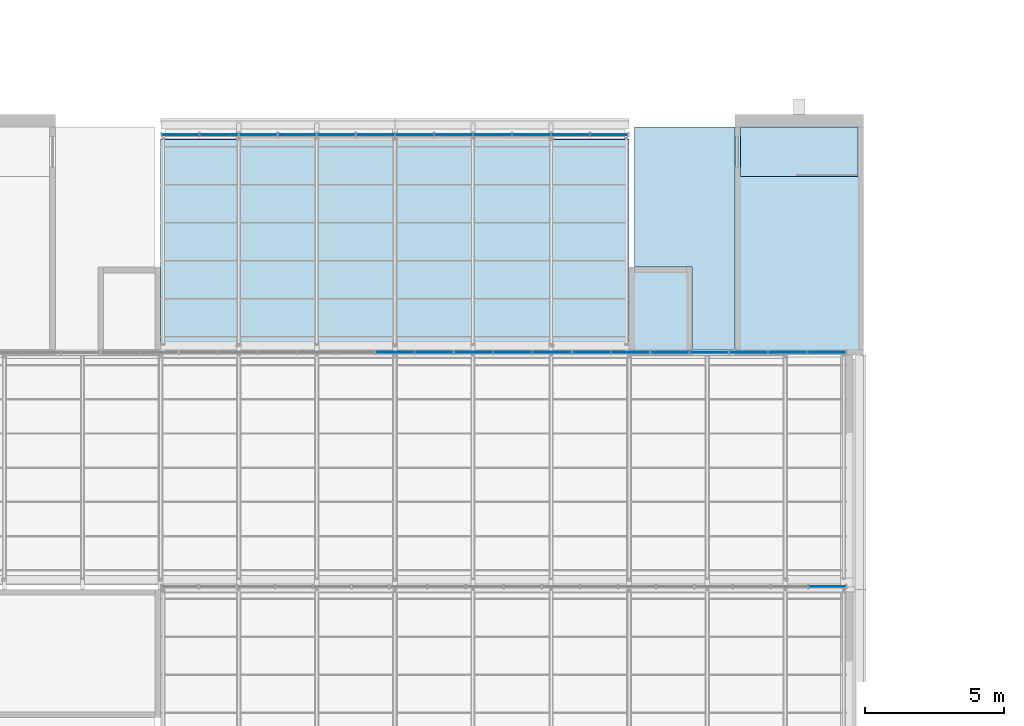
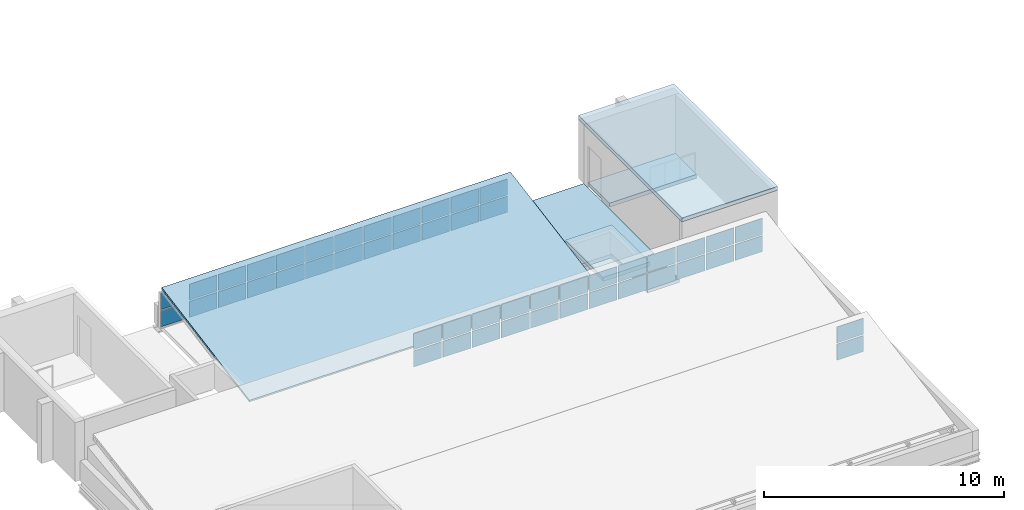
# One storey, part 26 of 42: 50 plates, 5 slabs, 3 elements without a shape of their own.
"""IFC4 building model written with IfcOpenShell, lengths in metres."""

import ifcopenshell
import ifcopenshell.guid

model = None  # the IFC model being written
_history = None  # IfcOwnerHistory: only IFC2X3 demands one
_inside = {}  # id of a spatial element -> (the spatial element, [elements in it])
_under = {}  # id of a project, library or spatial element -> (it, [spatial elements below it])
_declared = {}  # id of a project -> (the project, [libraries it declares])
_typed = {}  # id of a type object -> (the type object, [elements of that type])
_made_of = {}  # id of a material, layer set ... -> (it, [elements and type objects made of it])


def new_model(schema):
    """Start an empty IFC model of exactly this schema.

    Asked for "IFC4X3", IfcOpenShell would pick the latest addendum, in which some entities
    have other attributes; the version numbers below select the first issue.
    IFC2X3 requires an IfcOwnerHistory on every rooted entity: one is made here for all.
    """
    global model, _history
    if schema == "IFC4X3":
        model = ifcopenshell.file(schema_version=(4, 3, 0, 0))
    else:
        model = ifcopenshell.file(schema=schema)
    _inside.clear()
    _under.clear()
    _declared.clear()
    _typed.clear()
    _made_of.clear()
    _history = None
    if model.schema == "IFC2X3":
        org = make("IfcOrganization", Name="unknown")
        user = make(
            "IfcPersonAndOrganization",
            ThePerson=make("IfcPerson", FamilyName="unknown"),
            TheOrganization=org,
        )
        app = make(
            "IfcApplication",
            ApplicationDeveloper=org,
            Version="unknown",
            ApplicationFullName="unknown",
            ApplicationIdentifier="unknown",
        )
        _history = make(
            "IfcOwnerHistory",
            OwningUser=user,
            OwningApplication=app,
            ChangeAction="ADDED",
            CreationDate=0,
        )
    return model


def make(cls, **values):
    """One entity of the class cls with the attributes given. An attribute that is None is left unset."""
    return model.create_entity(
        cls, **{name: value for name, value in values.items() if value is not None}
    )


def rooted(cls, **values):
    """An entity with a GlobalId (a new one), such as an element, a storey or a relation."""
    return make(cls, GlobalId=ifcopenshell.guid.new(), OwnerHistory=_history, **values)


def si_unit(unit_type, name, prefix=None):
    """IfcSIUnit, for example si_unit("LENGTHUNIT", "METRE", prefix="MILLI")."""
    return make("IfcSIUnit", UnitType=unit_type, Prefix=prefix, Name=name)


def assignment(units):
    """IfcUnitAssignment: the units of a project."""
    return None if units is None else make("IfcUnitAssignment", Units=units)


def point(xyz):
    """IfcCartesianPoint."""
    return None if xyz is None else make("IfcCartesianPoint", Coordinates=xyz)


def direction(xyz):
    """IfcDirection."""
    return None if xyz is None else make("IfcDirection", DirectionRatios=xyz)


def frame(location, z_axis=None, x_axis=None):
    """IfcAxis2Placement3D, a coordinate frame: its origin and axes. An axis left out is left unset."""
    return make(
        "IfcAxis2Placement3D",
        Location=point(location),
        Axis=direction(z_axis),
        RefDirection=direction(x_axis),
    )


def frame_2d(location, x_axis=None):
    """IfcAxis2Placement2D, a coordinate frame in the plane: its origin and x axis."""
    return make(
        "IfcAxis2Placement2D", Location=point(location), RefDirection=direction(x_axis)
    )


def origin():
    """The frame at (0, 0, 0) with its axes left unset."""
    return frame((0.0, 0.0, 0.0))


def origin_2d():
    """The frame at (0, 0) in the plane with its x axis left unset."""
    return frame_2d((0.0, 0.0))


def place(relative_to, where):
    """IfcLocalPlacement: puts the frame where relative to a parent placement (None: the world)."""
    return make(
        "IfcLocalPlacement", PlacementRelTo=relative_to, RelativePlacement=where
    )


def context(
    kind, dimensions, precision=None, world=None, true_north=None, identifier=None
):
    """IfcGeometricRepresentationContext, for example the 3D "Model" context."""
    return make(
        "IfcGeometricRepresentationContext",
        ContextIdentifier=identifier,
        ContextType=kind,
        CoordinateSpaceDimension=dimensions,
        Precision=precision,
        WorldCoordinateSystem=world,
        TrueNorth=true_north,
    )


def subcontext(parent, identifier, kind, view, scale=None):
    """IfcGeometricRepresentationSubContext, for example "Body" below "Model"."""
    return make(
        "IfcGeometricRepresentationSubContext",
        ContextIdentifier=identifier,
        ContextType=kind,
        ParentContext=parent,
        TargetScale=scale,
        TargetView=view,
    )


def project(units=None, contexts=None):
    """IfcProject with its units and contexts."""
    return rooted(
        "IfcProject",
        Name="project",
        RepresentationContexts=contexts,
        UnitsInContext=assignment(units),
    )


def spatial(cls, under=None, at=None, **own):
    """A site, building, storey or space (cls), placed at a placement, below another one or the project."""
    s = rooted(cls, ObjectPlacement=at, **own)
    if under is not None:
        _under.setdefault(under.id(), (under, []))[1].append(s)
    return s


def polyline(points):
    """IfcPolyline through the points."""
    return make("IfcPolyline", Points=[point(p) for p in points])


def profile(cls, at=None, kind="AREA", **sizes):
    """A parametric profile (cls). Its sizes go by their IFC names, for example OverallWidth=200.0."""
    return make(cls, ProfileType=kind, Position=at, **sizes)


def rectangle(**sizes):
    """IfcRectangleProfileDef."""
    return profile("IfcRectangleProfileDef", **sizes)


def outline(outer, holes=None, kind="AREA"):
    """IfcArbitraryClosedProfileDef: a profile drawn as a closed curve; with holes, ...WithVoids."""
    if holes is None:
        return make("IfcArbitraryClosedProfileDef", ProfileType=kind, OuterCurve=outer)
    return make(
        "IfcArbitraryProfileDefWithVoids",
        ProfileType=kind,
        OuterCurve=outer,
        InnerCurves=holes,
    )


def extrude(swept, where, along, depth):
    """IfcExtrudedAreaSolid: the profile swept, set in the frame where, extruded along a direction by depth."""
    return make(
        "IfcExtrudedAreaSolid",
        SweptArea=swept,
        Position=where,
        ExtrudedDirection=direction(along),
        Depth=depth,
    )


def shape(context_of_items, identifier, shape_type, items):
    """IfcShapeRepresentation: the items that make up one representation, for example the "Body"."""
    return make(
        "IfcShapeRepresentation",
        ContextOfItems=context_of_items,
        RepresentationIdentifier=identifier,
        RepresentationType=shape_type,
        Items=items,
    )


def material(Name=None, Category=None):
    """IfcMaterial."""
    return make("IfcMaterial", Name=Name, Category=Category)


def layer(
    of_material, thickness, ventilated=None, Name=None, Category=None, Priority=None
):
    """IfcMaterialLayer: one layer of a wall or slab, of a material (None: an air gap)."""
    return make(
        "IfcMaterialLayer",
        Material=of_material,
        LayerThickness=thickness,
        IsVentilated=ventilated,
        Name=Name,
        Category=Category,
        Priority=Priority,
    )


def layer_set(layers, Name=None):
    """IfcMaterialLayerSet."""
    return make("IfcMaterialLayerSet", MaterialLayers=layers, LayerSetName=Name)


def made_of(thing, what):
    """Note that an element or type object is made of a material, layer set ...; save() writes the relation."""
    if what is not None:
        _made_of.setdefault(what.id(), (what, []))[1].append(thing)
    return thing


def type_object(cls, material=None, **own):
    """A type object (cls), such as IfcWallType, which elements share."""
    return made_of(rooted(cls, **own), material)


def element(
    cls,
    number,
    at=None,
    inside=None,
    cuts=None,
    type_object=None,
    material=None,
    context=None,
    identifier="Body",
    shape_type=None,
    held_by="IfcProductDefinitionShape",
    body=None,
    shapes=None,
    **own,
):
    """One element of the class cls, such as IfcWall. Its Tag is "e" and its number.

    at: its placement. inside: the storey or other place that contains it. cuts: it is an
    opening in that element (IfcRelVoidsElement). A single representation is given by context,
    identifier, shape_type and body (its items); several are given by shapes. held_by: the class
    of the entity that holds the representations. save() writes the other relations.
    """
    e = rooted(cls, Tag="e%d" % number, ObjectPlacement=at, **own)
    if body is not None:
        shapes = [shape(context, identifier, shape_type, body)]
    if shapes is not None:
        e.Representation = make(held_by, Representations=shapes)
    if inside is not None:
        _inside.setdefault(inside.id(), (inside, []))[1].append(e)
    if cuts is not None:
        rooted(
            "IfcRelVoidsElement", RelatingBuildingElement=cuts, RelatedOpeningElement=e
        )
    if type_object is not None:
        _typed.setdefault(type_object.id(), (type_object, []))[1].append(e)
    return made_of(e, material)


def aggregate(whole, parts):
    """IfcRelAggregates: a whole, such as a stair, and the parts it consists of."""
    return rooted("IfcRelAggregates", RelatingObject=whole, RelatedObjects=parts)


def save(model, path):
    """Write the relations noted so far, then the file.

    IfcRelAggregates (storeys below a building ...), IfcRelContainedInSpatialStructure (elements
    in a storey), IfcRelDefinesByType, IfcRelAssociatesMaterial and IfcRelDeclares: one each for
    every whole, place, type object, material and project.
    """
    for whole, parts in _under.values():
        aggregate(whole, parts)
    for where, things in _inside.values():
        rooted(
            "IfcRelContainedInSpatialStructure",
            RelatedElements=things,
            RelatingStructure=where,
        )
    for kind, things in _typed.values():
        rooted("IfcRelDefinesByType", RelatedObjects=things, RelatingType=kind)
    for what, things in _made_of.values():
        rooted("IfcRelAssociatesMaterial", RelatedObjects=things, RelatingMaterial=what)
    for by, libraries in _declared.values():
        rooted("IfcRelDeclares", RelatingContext=by, RelatedDefinitions=libraries)
    model.write(path)


model = new_model("IFC4")

# Units and contexts
model_context = context("Model", 3, precision=1e-05, world=origin(), true_north=direction((0.0, 1.0)))
body_context = subcontext(model_context, "Body", "Model", "MODEL_VIEW")
ifc_project = project(units=[si_unit("LENGTHUNIT", "METRE"), si_unit("AREAUNIT", "SQUARE_METRE"), si_unit("VOLUMEUNIT", "CUBIC_METRE"), si_unit("PLANEANGLEUNIT", "RADIAN"), si_unit("MASSUNIT", "GRAM", prefix="KILO")], contexts=[model_context])

# Site, building, storey
site_placement = place(None, origin())
site = spatial("IfcSite", under=ifc_project, at=site_placement, CompositionType="ELEMENT")
building_placement = place(site_placement, origin())
building = spatial("IfcBuilding", under=site, at=building_placement, Name="Ardhachandra Cancer Care Centre", CompositionType="ELEMENT")
storey_placement = place(building_placement, frame((0.0, 0.0, 22.5)))
storey = spatial("IfcBuildingStorey", under=building, at=storey_placement, Name="L05", CompositionType="ELEMENT", Elevation=22.5)

# Slabs
ifc_material_1 = material(Name="Concrete M40", Category="concrete")
ifc_layer_1 = layer(ifc_material_1, 0.199951171875)
ifc_layer_set_1 = layer_set([ifc_layer_1], Name="Concrete M40")
slab_type_1 = type_object("IfcSlabType", Name="Core head-house floor slab 200", PredefinedType="FLOOR", material=ifc_layer_set_1)
slab_1_placement = place(storey_placement, frame((0.0, 0.0, -0.199951171875)))
element("IfcSlab", 1, at=slab_1_placement, inside=storey, type_object=slab_type_1, Name="Stair head-house floor slab K5 1", PredefinedType="FLOOR", context=body_context, shape_type="SweptSolid", body=[
    extrude(outline(polyline([(40.0, 96.375), (40.0, 94.60009765625), (44.199951171875, 94.60009765625), (44.199951171875, 96.375), (40.0, 96.375)])), origin(), (0.0, 0.0, 1.0), 0.199951171875),
])
ifc_material_2 = material(Name="Concrete M40", Category="concrete")
ifc_layer_2 = layer(ifc_material_2, 0.199951171875)
ifc_layer_set_2 = layer_set([ifc_layer_2], Name="Concrete M40")
slab_type_2 = type_object("IfcSlabType", Name="Core roof slab 200", PredefinedType="ROOF", material=ifc_layer_set_2)
slab_2_placement = place(storey_placement, frame((0.0, 0.0, -0.199951171875)))
element("IfcSlab", 2, at=slab_2_placement, inside=storey, type_object=slab_type_2, Name="Core roof slab K5 2", PredefinedType="ROOF", context=body_context, shape_type="SweptSolid", body=[
    extrude(outline(polyline([(36.199951171875, 91.35009765625), (38.050048828125, 91.35009765625), (38.25, 91.35009765625), (38.25, 88.39990234375), (39.800048828125, 88.39990234375), (39.800048828125, 96.375), (36.199951171875, 96.375), (36.199951171875, 91.35009765625)])), origin(), (0.0, 0.0, 1.0), 0.199951171875),
])

# Curtain wall, plate
ifc_material_3 = material(Name="Aluminium extrusion", Category="aluminium")
ifc_layer_3 = layer(ifc_material_3, 0.14990234375)
ifc_layer_set_3 = layer_set([ifc_layer_3], Name="Aluminium extrusion")
curtain_wall_type = type_object("IfcCurtainWallType", Name="Curtain wall run", PredefinedType="NOTDEFINED", material=ifc_layer_set_3)
curtain_wall_1_placement = place(storey_placement, origin())
curtain_wall_1 = element("IfcCurtainWall", 3, at=curtain_wall_1_placement, inside=storey, type_object=curtain_wall_type, Name="Curtain wall L05 n/0019200_0079900", PredefinedType="NOTDEFINED")
ifc_material_4 = material(Name="Low-iron double-glazed unit")
ifc_layer_4 = layer(ifc_material_4, 0.028076171875)
ifc_layer_set_4 = layer_set([ifc_layer_4], Name="Low-iron double-glazed unit")
plate_type_1 = type_object("IfcPlateType", Name="Curtain wall glazing 28", PredefinedType="CURTAIN_PANEL", material=ifc_layer_set_4)
plate_1_placement = place(storey_placement, frame((43.1015625, 79.89990234375, 0.93994140625), z_axis=(0.0, 0.0, 1.0), x_axis=(1.0, 0.0, 0.0)))
plate_1 = element("IfcPlate", 4, at=plate_1_placement, type_object=plate_type_1, Name="CW panel 18.2", PredefinedType="CURTAIN_PANEL", context=body_context, shape_type="SweptSolid", body=[
    extrude(rectangle(XDim=1.276611328125, YDim=0.028076171875, at=origin_2d()), origin(), (0.0, 0.0, 1.0), 0.820068359375),
])

# Curtain wall, plates
curtain_wall_2_placement = place(storey_placement, origin())
curtain_wall_2 = element("IfcCurtainWall", 5, at=curtain_wall_2_placement, inside=storey, type_object=curtain_wall_type, Name="Curtain wall L05 n/0011400_0088300", PredefinedType="NOTDEFINED")
plate_2_placement = place(storey_placement, frame((27.60009765625, 88.300048828125, 0.93994140625), z_axis=(0.0, 0.0, 1.0), x_axis=(1.0, 0.0, 0.0)))
plate_2 = element("IfcPlate", 6, at=plate_2_placement, type_object=plate_type_1, Name="CW panel 12.2", PredefinedType="CURTAIN_PANEL", context=body_context, shape_type="SweptSolid", body=[
    extrude(rectangle(XDim=1.3486328125, YDim=0.028076171875, at=origin_2d()), origin(), (0.0, 0.0, 1.0), 0.820068359375),
])
plate_3_placement = place(storey_placement, frame((29.0087890625, 88.300048828125, 0.93994140625), z_axis=(0.0, 0.0, 1.0), x_axis=(1.0, 0.0, 0.0)))
plate_3 = element("IfcPlate", 7, at=plate_3_placement, type_object=plate_type_1, Name="CW panel 13.2", PredefinedType="CURTAIN_PANEL", context=body_context, shape_type="SweptSolid", body=[
    extrude(rectangle(XDim=1.3486328125, YDim=0.028076171875, at=origin_2d()), origin(), (0.0, 0.0, 1.0), 0.820068359375),
])
plate_4_placement = place(storey_placement, frame((30.41748046875, 88.300048828125, 0.93994140625), z_axis=(0.0, 0.0, 1.0), x_axis=(1.0, 0.0, 0.0)))
plate_4 = element("IfcPlate", 8, at=plate_4_placement, type_object=plate_type_1, Name="CW panel 14.2", PredefinedType="CURTAIN_PANEL", context=body_context, shape_type="SweptSolid", body=[
    extrude(rectangle(XDim=1.3486328125, YDim=0.028076171875, at=origin_2d()), origin(), (0.0, 0.0, 1.0), 0.820068359375),
])
plate_5_placement = place(storey_placement, frame((31.826171875, 88.300048828125, 0.93994140625), z_axis=(0.0, 0.0, 1.0), x_axis=(1.0, 0.0, 0.0)))
plate_5 = element("IfcPlate", 9, at=plate_5_placement, type_object=plate_type_1, Name="CW panel 15.2", PredefinedType="CURTAIN_PANEL", context=body_context, shape_type="SweptSolid", body=[
    extrude(rectangle(XDim=1.3486328125, YDim=0.028076171875, at=origin_2d()), origin(), (0.0, 0.0, 1.0), 0.820068359375),
])
plate_6_placement = place(storey_placement, frame((33.23486328125, 88.300048828125, 0.93994140625), z_axis=(0.0, 0.0, 1.0), x_axis=(1.0, 0.0, 0.0)))
plate_6 = element("IfcPlate", 10, at=plate_6_placement, type_object=plate_type_1, Name="CW panel 16.2", PredefinedType="CURTAIN_PANEL", context=body_context, shape_type="SweptSolid", body=[
    extrude(rectangle(XDim=1.3486328125, YDim=0.028076171875, at=origin_2d()), origin(), (0.0, 0.0, 1.0), 0.820068359375),
])
plate_7_placement = place(storey_placement, frame((34.6435546875, 88.300048828125, 0.93994140625), z_axis=(0.0, 0.0, 1.0), x_axis=(1.0, 0.0, 0.0)))
plate_7 = element("IfcPlate", 11, at=plate_7_placement, type_object=plate_type_1, Name="CW panel 17.2", PredefinedType="CURTAIN_PANEL", context=body_context, shape_type="SweptSolid", body=[
    extrude(rectangle(XDim=1.3486328125, YDim=0.028076171875, at=origin_2d()), origin(), (0.0, 0.0, 1.0), 0.820068359375),
])
plate_8_placement = place(storey_placement, frame((36.05224609375, 88.300048828125, 0.93994140625), z_axis=(0.0, 0.0, 1.0), x_axis=(1.0, 0.0, 0.0)))
plate_8 = element("IfcPlate", 12, at=plate_8_placement, type_object=plate_type_1, Name="CW panel 18.2", PredefinedType="CURTAIN_PANEL", context=body_context, shape_type="SweptSolid", body=[
    extrude(rectangle(XDim=1.3486328125, YDim=0.028076171875, at=origin_2d()), origin(), (0.0, 0.0, 1.0), 0.820068359375),
])
plate_9_placement = place(storey_placement, frame((37.4609375, 88.300048828125, 0.93994140625), z_axis=(0.0, 0.0, 1.0), x_axis=(1.0, 0.0, 0.0)))
plate_9 = element("IfcPlate", 13, at=plate_9_placement, type_object=plate_type_1, Name="CW panel 19.2", PredefinedType="CURTAIN_PANEL", context=body_context, shape_type="SweptSolid", body=[
    extrude(rectangle(XDim=1.3486328125, YDim=0.028076171875, at=origin_2d()), origin(), (0.0, 0.0, 1.0), 0.820068359375),
])
plate_10_placement = place(storey_placement, frame((38.86962890625, 88.300048828125, 0.93994140625), z_axis=(0.0, 0.0, 1.0), x_axis=(1.0, 0.0, 0.0)))
plate_10 = element("IfcPlate", 14, at=plate_10_placement, type_object=plate_type_1, Name="CW panel 20.2", PredefinedType="CURTAIN_PANEL", context=body_context, shape_type="SweptSolid", body=[
    extrude(rectangle(XDim=1.3486328125, YDim=0.028076171875, at=origin_2d()), origin(), (0.0, 0.0, 1.0), 0.820068359375),
])
plate_11_placement = place(storey_placement, frame((40.2783203125, 88.300048828125, 0.93994140625), z_axis=(0.0, 0.0, 1.0), x_axis=(1.0, 0.0, 0.0)))
plate_11 = element("IfcPlate", 15, at=plate_11_placement, type_object=plate_type_1, Name="CW panel 21.2", PredefinedType="CURTAIN_PANEL", context=body_context, shape_type="SweptSolid", body=[
    extrude(rectangle(XDim=1.3486328125, YDim=0.028076171875, at=origin_2d()), origin(), (0.0, 0.0, 1.0), 0.820068359375),
])
plate_12_placement = place(storey_placement, frame((41.68701171875, 88.300048828125, 0.93994140625), z_axis=(0.0, 0.0, 1.0), x_axis=(1.0, 0.0, 0.0)))
plate_12 = element("IfcPlate", 16, at=plate_12_placement, type_object=plate_type_1, Name="CW panel 22.2", PredefinedType="CURTAIN_PANEL", context=body_context, shape_type="SweptSolid", body=[
    extrude(rectangle(XDim=1.3486328125, YDim=0.028076171875, at=origin_2d()), origin(), (0.0, 0.0, 1.0), 0.820068359375),
])
plate_13_placement = place(storey_placement, frame((43.08056640625, 88.300048828125, 0.93994140625), z_axis=(0.0, 0.0, 1.0), x_axis=(1.0, 0.0, 0.0)))
plate_13 = element("IfcPlate", 17, at=plate_13_placement, type_object=plate_type_1, Name="CW panel 23.2", PredefinedType="CURTAIN_PANEL", context=body_context, shape_type="SweptSolid", body=[
    extrude(rectangle(XDim=1.318603515625, YDim=0.028076171875, at=origin_2d()), origin(), (0.0, 0.0, 1.0), 0.820068359375),
])

curtain_wall_3_placement = place(storey_placement, origin())
curtain_wall_3 = element("IfcCurtainWall", 18, at=curtain_wall_3_placement, inside=storey, type_object=curtain_wall_type, Name="Curtain wall L05 n/0019200_0096100", PredefinedType="NOTDEFINED")
plate_14_placement = place(storey_placement, frame((19.9150390625, 96.10009765625, 0.93994140625), z_axis=(0.0, 0.0, 1.0), x_axis=(1.0, 0.0, 0.0)))
plate_14 = element("IfcPlate", 19, at=plate_14_placement, type_object=plate_type_1, Name="CW panel 1.2", PredefinedType="CURTAIN_PANEL", context=body_context, shape_type="SweptSolid", body=[
    extrude(rectangle(XDim=1.31005859375, YDim=0.028076171875, at=origin_2d()), origin(), (0.0, 0.0, 1.0), 0.820068359375),
])
plate_15_placement = place(storey_placement, frame((21.300048828125, 96.10009765625, 0.93994140625), z_axis=(0.0, 0.0, 1.0), x_axis=(1.0, 0.0, 0.0)))
plate_15 = element("IfcPlate", 20, at=plate_15_placement, type_object=plate_type_1, Name="CW panel 2.2", PredefinedType="CURTAIN_PANEL", context=body_context, shape_type="SweptSolid", body=[
    extrude(rectangle(XDim=1.340087890625, YDim=0.028076171875, at=origin_2d()), origin(), (0.0, 0.0, 1.0), 0.820068359375),
])
plate_16_placement = place(storey_placement, frame((22.699951171875, 96.10009765625, 0.93994140625), z_axis=(0.0, 0.0, 1.0), x_axis=(1.0, 0.0, 0.0)))
plate_16 = element("IfcPlate", 21, at=plate_16_placement, type_object=plate_type_1, Name="CW panel 3.2", PredefinedType="CURTAIN_PANEL", context=body_context, shape_type="SweptSolid", body=[
    extrude(rectangle(XDim=1.340087890625, YDim=0.028076171875, at=origin_2d()), origin(), (0.0, 0.0, 1.0), 0.820068359375),
])
plate_17_placement = place(storey_placement, frame((24.10009765625, 96.10009765625, 0.93994140625), z_axis=(0.0, 0.0, 1.0), x_axis=(1.0, 0.0, 0.0)))
plate_17 = element("IfcPlate", 22, at=plate_17_placement, type_object=plate_type_1, Name="CW panel 4.2", PredefinedType="CURTAIN_PANEL", context=body_context, shape_type="SweptSolid", body=[
    extrude(rectangle(XDim=1.340087890625, YDim=0.028076171875, at=origin_2d()), origin(), (0.0, 0.0, 1.0), 0.820068359375),
])
plate_18_placement = place(storey_placement, frame((25.5, 96.10009765625, 0.93994140625), z_axis=(0.0, 0.0, 1.0), x_axis=(1.0, 0.0, 0.0)))
plate_18 = element("IfcPlate", 23, at=plate_18_placement, type_object=plate_type_1, Name="CW panel 5.2", PredefinedType="CURTAIN_PANEL", context=body_context, shape_type="SweptSolid", body=[
    extrude(rectangle(XDim=1.340087890625, YDim=0.028076171875, at=origin_2d()), origin(), (0.0, 0.0, 1.0), 0.820068359375),
])
plate_19_placement = place(storey_placement, frame((26.89990234375, 96.10009765625, 0.93994140625), z_axis=(0.0, 0.0, 1.0), x_axis=(1.0, 0.0, 0.0)))
plate_19 = element("IfcPlate", 24, at=plate_19_placement, type_object=plate_type_1, Name="CW panel 6.2", PredefinedType="CURTAIN_PANEL", context=body_context, shape_type="SweptSolid", body=[
    extrude(rectangle(XDim=1.340087890625, YDim=0.028076171875, at=origin_2d()), origin(), (0.0, 0.0, 1.0), 0.820068359375),
])
plate_20_placement = place(storey_placement, frame((28.300048828125, 96.10009765625, 0.93994140625), z_axis=(0.0, 0.0, 1.0), x_axis=(1.0, 0.0, 0.0)))
plate_20 = element("IfcPlate", 25, at=plate_20_placement, type_object=plate_type_1, Name="CW panel 7.2", PredefinedType="CURTAIN_PANEL", context=body_context, shape_type="SweptSolid", body=[
    extrude(rectangle(XDim=1.340087890625, YDim=0.028076171875, at=origin_2d()), origin(), (0.0, 0.0, 1.0), 0.820068359375),
])
plate_21_placement = place(storey_placement, frame((29.699951171875, 96.10009765625, 0.93994140625), z_axis=(0.0, 0.0, 1.0), x_axis=(1.0, 0.0, 0.0)))
plate_21 = element("IfcPlate", 26, at=plate_21_placement, type_object=plate_type_1, Name="CW panel 8.2", PredefinedType="CURTAIN_PANEL", context=body_context, shape_type="SweptSolid", body=[
    extrude(rectangle(XDim=1.340087890625, YDim=0.028076171875, at=origin_2d()), origin(), (0.0, 0.0, 1.0), 0.820068359375),
])
plate_22_placement = place(storey_placement, frame((31.10009765625, 96.10009765625, 0.93994140625), z_axis=(0.0, 0.0, 1.0), x_axis=(1.0, 0.0, 0.0)))
plate_22 = element("IfcPlate", 27, at=plate_22_placement, type_object=plate_type_1, Name="CW panel 9.2", PredefinedType="CURTAIN_PANEL", context=body_context, shape_type="SweptSolid", body=[
    extrude(rectangle(XDim=1.340087890625, YDim=0.028076171875, at=origin_2d()), origin(), (0.0, 0.0, 1.0), 0.820068359375),
])
plate_23_placement = place(storey_placement, frame((32.5, 96.10009765625, 0.93994140625), z_axis=(0.0, 0.0, 1.0), x_axis=(1.0, 0.0, 0.0)))
plate_23 = element("IfcPlate", 28, at=plate_23_placement, type_object=plate_type_1, Name="CW panel 10.2", PredefinedType="CURTAIN_PANEL", context=body_context, shape_type="SweptSolid", body=[
    extrude(rectangle(XDim=1.340087890625, YDim=0.028076171875, at=origin_2d()), origin(), (0.0, 0.0, 1.0), 0.820068359375),
])
plate_24_placement = place(storey_placement, frame((33.89990234375, 96.10009765625, 0.93994140625), z_axis=(0.0, 0.0, 1.0), x_axis=(1.0, 0.0, 0.0)))
plate_24 = element("IfcPlate", 29, at=plate_24_placement, type_object=plate_type_1, Name="CW panel 11.2", PredefinedType="CURTAIN_PANEL", context=body_context, shape_type="SweptSolid", body=[
    extrude(rectangle(XDim=1.340087890625, YDim=0.028076171875, at=origin_2d()), origin(), (0.0, 0.0, 1.0), 0.820068359375),
])
plate_25_placement = place(storey_placement, frame((35.284912109375, 96.10009765625, 0.93994140625), z_axis=(0.0, 0.0, 1.0), x_axis=(1.0, 0.0, 0.0)))
plate_25 = element("IfcPlate", 30, at=plate_25_placement, type_object=plate_type_1, Name="CW panel 12.2", PredefinedType="CURTAIN_PANEL", context=body_context, shape_type="SweptSolid", body=[
    extrude(rectangle(XDim=1.31005859375, YDim=0.028076171875, at=origin_2d()), origin(), (0.0, 0.0, 1.0), 0.820068359375),
])

# Plate
ifc_material_5 = material(Name="Aluminium composite spandrel panel", Category="aluminium")
ifc_layer_5 = layer(ifc_material_5, 0.028076171875)
ifc_layer_set_5 = layer_set([ifc_layer_5], Name="Aluminium composite spandrel panel")
plate_type_2 = type_object("IfcPlateType", Name="Curtain wall spandrel panel 28", PredefinedType="CURTAIN_PANEL", material=ifc_layer_set_5)
plate_26_placement = place(storey_placement, frame((43.1015625, 79.89990234375, 0.06005859375), z_axis=(0.0, 0.0, 1.0), x_axis=(1.0, 0.0, 0.0)))
plate_26 = element("IfcPlate", 31, at=plate_26_placement, type_object=plate_type_2, Name="CW panel 18.1", PredefinedType="CURTAIN_PANEL", context=body_context, shape_type="SweptSolid", body=[
    extrude(rectangle(XDim=1.276611328125, YDim=0.028076171875, at=origin_2d()), origin(), (0.0, 0.0, 1.0), 0.820068359375),
])

aggregate(curtain_wall_1, [plate_26, plate_1])

plate_27_placement = place(storey_placement, frame((27.60009765625, 88.300048828125, 0.06005859375), z_axis=(0.0, 0.0, 1.0), x_axis=(1.0, 0.0, 0.0)))
plate_27 = element("IfcPlate", 32, at=plate_27_placement, type_object=plate_type_2, Name="CW panel 12.1", PredefinedType="CURTAIN_PANEL", context=body_context, shape_type="SweptSolid", body=[
    extrude(rectangle(XDim=1.3486328125, YDim=0.028076171875, at=origin_2d()), origin(), (0.0, 0.0, 1.0), 0.820068359375),
])

plate_28_placement = place(storey_placement, frame((29.0087890625, 88.300048828125, 0.06005859375), z_axis=(0.0, 0.0, 1.0), x_axis=(1.0, 0.0, 0.0)))
plate_28 = element("IfcPlate", 33, at=plate_28_placement, type_object=plate_type_2, Name="CW panel 13.1", PredefinedType="CURTAIN_PANEL", context=body_context, shape_type="SweptSolid", body=[
    extrude(rectangle(XDim=1.3486328125, YDim=0.028076171875, at=origin_2d()), origin(), (0.0, 0.0, 1.0), 0.820068359375),
])

plate_29_placement = place(storey_placement, frame((30.41748046875, 88.300048828125, 0.06005859375), z_axis=(0.0, 0.0, 1.0), x_axis=(1.0, 0.0, 0.0)))
plate_29 = element("IfcPlate", 34, at=plate_29_placement, type_object=plate_type_2, Name="CW panel 14.1", PredefinedType="CURTAIN_PANEL", context=body_context, shape_type="SweptSolid", body=[
    extrude(rectangle(XDim=1.3486328125, YDim=0.028076171875, at=origin_2d()), origin(), (0.0, 0.0, 1.0), 0.820068359375),
])

plate_30_placement = place(storey_placement, frame((31.826171875, 88.300048828125, 0.06005859375), z_axis=(0.0, 0.0, 1.0), x_axis=(1.0, 0.0, 0.0)))
plate_30 = element("IfcPlate", 35, at=plate_30_placement, type_object=plate_type_2, Name="CW panel 15.1", PredefinedType="CURTAIN_PANEL", context=body_context, shape_type="SweptSolid", body=[
    extrude(rectangle(XDim=1.3486328125, YDim=0.028076171875, at=origin_2d()), origin(), (0.0, 0.0, 1.0), 0.820068359375),
])

plate_31_placement = place(storey_placement, frame((33.23486328125, 88.300048828125, 0.06005859375), z_axis=(0.0, 0.0, 1.0), x_axis=(1.0, 0.0, 0.0)))
plate_31 = element("IfcPlate", 36, at=plate_31_placement, type_object=plate_type_2, Name="CW panel 16.1", PredefinedType="CURTAIN_PANEL", context=body_context, shape_type="SweptSolid", body=[
    extrude(rectangle(XDim=1.3486328125, YDim=0.028076171875, at=origin_2d()), origin(), (0.0, 0.0, 1.0), 0.820068359375),
])

plate_32_placement = place(storey_placement, frame((34.6435546875, 88.300048828125, 0.06005859375), z_axis=(0.0, 0.0, 1.0), x_axis=(1.0, 0.0, 0.0)))
plate_32 = element("IfcPlate", 37, at=plate_32_placement, type_object=plate_type_2, Name="CW panel 17.1", PredefinedType="CURTAIN_PANEL", context=body_context, shape_type="SweptSolid", body=[
    extrude(rectangle(XDim=1.3486328125, YDim=0.028076171875, at=origin_2d()), origin(), (0.0, 0.0, 1.0), 0.820068359375),
])

plate_33_placement = place(storey_placement, frame((36.05224609375, 88.300048828125, 0.06005859375), z_axis=(0.0, 0.0, 1.0), x_axis=(1.0, 0.0, 0.0)))
plate_33 = element("IfcPlate", 38, at=plate_33_placement, type_object=plate_type_2, Name="CW panel 18.1", PredefinedType="CURTAIN_PANEL", context=body_context, shape_type="SweptSolid", body=[
    extrude(rectangle(XDim=1.3486328125, YDim=0.028076171875, at=origin_2d()), origin(), (0.0, 0.0, 1.0), 0.820068359375),
])

plate_34_placement = place(storey_placement, frame((37.4609375, 88.300048828125, 0.06005859375), z_axis=(0.0, 0.0, 1.0), x_axis=(1.0, 0.0, 0.0)))
plate_34 = element("IfcPlate", 39, at=plate_34_placement, type_object=plate_type_2, Name="CW panel 19.1", PredefinedType="CURTAIN_PANEL", context=body_context, shape_type="SweptSolid", body=[
    extrude(rectangle(XDim=1.3486328125, YDim=0.028076171875, at=origin_2d()), origin(), (0.0, 0.0, 1.0), 0.820068359375),
])

plate_35_placement = place(storey_placement, frame((38.86962890625, 88.300048828125, 0.06005859375), z_axis=(0.0, 0.0, 1.0), x_axis=(1.0, 0.0, 0.0)))
plate_35 = element("IfcPlate", 40, at=plate_35_placement, type_object=plate_type_2, Name="CW panel 20.1", PredefinedType="CURTAIN_PANEL", context=body_context, shape_type="SweptSolid", body=[
    extrude(rectangle(XDim=1.3486328125, YDim=0.028076171875, at=origin_2d()), origin(), (0.0, 0.0, 1.0), 0.820068359375),
])

plate_36_placement = place(storey_placement, frame((40.2783203125, 88.300048828125, 0.06005859375), z_axis=(0.0, 0.0, 1.0), x_axis=(1.0, 0.0, 0.0)))
plate_36 = element("IfcPlate", 41, at=plate_36_placement, type_object=plate_type_2, Name="CW panel 21.1", PredefinedType="CURTAIN_PANEL", context=body_context, shape_type="SweptSolid", body=[
    extrude(rectangle(XDim=1.3486328125, YDim=0.028076171875, at=origin_2d()), origin(), (0.0, 0.0, 1.0), 0.820068359375),
])

plate_37_placement = place(storey_placement, frame((41.68701171875, 88.300048828125, 0.06005859375), z_axis=(0.0, 0.0, 1.0), x_axis=(1.0, 0.0, 0.0)))
plate_37 = element("IfcPlate", 42, at=plate_37_placement, type_object=plate_type_2, Name="CW panel 22.1", PredefinedType="CURTAIN_PANEL", context=body_context, shape_type="SweptSolid", body=[
    extrude(rectangle(XDim=1.3486328125, YDim=0.028076171875, at=origin_2d()), origin(), (0.0, 0.0, 1.0), 0.820068359375),
])

plate_38_placement = place(storey_placement, frame((43.08056640625, 88.300048828125, 0.06005859375), z_axis=(0.0, 0.0, 1.0), x_axis=(1.0, 0.0, 0.0)))
plate_38 = element("IfcPlate", 43, at=plate_38_placement, type_object=plate_type_2, Name="CW panel 23.1", PredefinedType="CURTAIN_PANEL", context=body_context, shape_type="SweptSolid", body=[
    extrude(rectangle(XDim=1.318603515625, YDim=0.028076171875, at=origin_2d()), origin(), (0.0, 0.0, 1.0), 0.820068359375),
])

aggregate(curtain_wall_2, [plate_27, plate_2, plate_28, plate_3, plate_29, plate_4, plate_30, plate_5, plate_31, plate_6, plate_32, plate_7, plate_33, plate_8, plate_34, plate_9, plate_35, plate_10, plate_36, plate_11, plate_37, plate_12, plate_38, plate_13])

plate_39_placement = place(storey_placement, frame((19.9150390625, 96.10009765625, 0.06005859375), z_axis=(0.0, 0.0, 1.0), x_axis=(1.0, 0.0, 0.0)))
plate_39 = element("IfcPlate", 44, at=plate_39_placement, type_object=plate_type_2, Name="CW panel 1.1", PredefinedType="CURTAIN_PANEL", context=body_context, shape_type="SweptSolid", body=[
    extrude(rectangle(XDim=1.31005859375, YDim=0.028076171875, at=origin_2d()), origin(), (0.0, 0.0, 1.0), 0.820068359375),
])

plate_40_placement = place(storey_placement, frame((21.300048828125, 96.10009765625, 0.06005859375), z_axis=(0.0, 0.0, 1.0), x_axis=(1.0, 0.0, 0.0)))
plate_40 = element("IfcPlate", 45, at=plate_40_placement, type_object=plate_type_2, Name="CW panel 2.1", PredefinedType="CURTAIN_PANEL", context=body_context, shape_type="SweptSolid", body=[
    extrude(rectangle(XDim=1.340087890625, YDim=0.028076171875, at=origin_2d()), origin(), (0.0, 0.0, 1.0), 0.820068359375),
])

plate_41_placement = place(storey_placement, frame((22.699951171875, 96.10009765625, 0.06005859375), z_axis=(0.0, 0.0, 1.0), x_axis=(1.0, 0.0, 0.0)))
plate_41 = element("IfcPlate", 46, at=plate_41_placement, type_object=plate_type_2, Name="CW panel 3.1", PredefinedType="CURTAIN_PANEL", context=body_context, shape_type="SweptSolid", body=[
    extrude(rectangle(XDim=1.340087890625, YDim=0.028076171875, at=origin_2d()), origin(), (0.0, 0.0, 1.0), 0.820068359375),
])

plate_42_placement = place(storey_placement, frame((24.10009765625, 96.10009765625, 0.06005859375), z_axis=(0.0, 0.0, 1.0), x_axis=(1.0, 0.0, 0.0)))
plate_42 = element("IfcPlate", 47, at=plate_42_placement, type_object=plate_type_2, Name="CW panel 4.1", PredefinedType="CURTAIN_PANEL", context=body_context, shape_type="SweptSolid", body=[
    extrude(rectangle(XDim=1.340087890625, YDim=0.028076171875, at=origin_2d()), origin(), (0.0, 0.0, 1.0), 0.820068359375),
])

plate_43_placement = place(storey_placement, frame((25.5, 96.10009765625, 0.06005859375), z_axis=(0.0, 0.0, 1.0), x_axis=(1.0, 0.0, 0.0)))
plate_43 = element("IfcPlate", 48, at=plate_43_placement, type_object=plate_type_2, Name="CW panel 5.1", PredefinedType="CURTAIN_PANEL", context=body_context, shape_type="SweptSolid", body=[
    extrude(rectangle(XDim=1.340087890625, YDim=0.028076171875, at=origin_2d()), origin(), (0.0, 0.0, 1.0), 0.820068359375),
])

plate_44_placement = place(storey_placement, frame((26.89990234375, 96.10009765625, 0.06005859375), z_axis=(0.0, 0.0, 1.0), x_axis=(1.0, 0.0, 0.0)))
plate_44 = element("IfcPlate", 49, at=plate_44_placement, type_object=plate_type_2, Name="CW panel 6.1", PredefinedType="CURTAIN_PANEL", context=body_context, shape_type="SweptSolid", body=[
    extrude(rectangle(XDim=1.340087890625, YDim=0.028076171875, at=origin_2d()), origin(), (0.0, 0.0, 1.0), 0.820068359375),
])

plate_45_placement = place(storey_placement, frame((28.300048828125, 96.10009765625, 0.06005859375), z_axis=(0.0, 0.0, 1.0), x_axis=(1.0, 0.0, 0.0)))
plate_45 = element("IfcPlate", 50, at=plate_45_placement, type_object=plate_type_2, Name="CW panel 7.1", PredefinedType="CURTAIN_PANEL", context=body_context, shape_type="SweptSolid", body=[
    extrude(rectangle(XDim=1.340087890625, YDim=0.028076171875, at=origin_2d()), origin(), (0.0, 0.0, 1.0), 0.820068359375),
])

plate_46_placement = place(storey_placement, frame((29.699951171875, 96.10009765625, 0.06005859375), z_axis=(0.0, 0.0, 1.0), x_axis=(1.0, 0.0, 0.0)))
plate_46 = element("IfcPlate", 51, at=plate_46_placement, type_object=plate_type_2, Name="CW panel 8.1", PredefinedType="CURTAIN_PANEL", context=body_context, shape_type="SweptSolid", body=[
    extrude(rectangle(XDim=1.340087890625, YDim=0.028076171875, at=origin_2d()), origin(), (0.0, 0.0, 1.0), 0.820068359375),
])

plate_47_placement = place(storey_placement, frame((31.10009765625, 96.10009765625, 0.06005859375), z_axis=(0.0, 0.0, 1.0), x_axis=(1.0, 0.0, 0.0)))
plate_47 = element("IfcPlate", 52, at=plate_47_placement, type_object=plate_type_2, Name="CW panel 9.1", PredefinedType="CURTAIN_PANEL", context=body_context, shape_type="SweptSolid", body=[
    extrude(rectangle(XDim=1.340087890625, YDim=0.028076171875, at=origin_2d()), origin(), (0.0, 0.0, 1.0), 0.820068359375),
])

plate_48_placement = place(storey_placement, frame((32.5, 96.10009765625, 0.06005859375), z_axis=(0.0, 0.0, 1.0), x_axis=(1.0, 0.0, 0.0)))
plate_48 = element("IfcPlate", 53, at=plate_48_placement, type_object=plate_type_2, Name="CW panel 10.1", PredefinedType="CURTAIN_PANEL", context=body_context, shape_type="SweptSolid", body=[
    extrude(rectangle(XDim=1.340087890625, YDim=0.028076171875, at=origin_2d()), origin(), (0.0, 0.0, 1.0), 0.820068359375),
])

plate_49_placement = place(storey_placement, frame((33.89990234375, 96.10009765625, 0.06005859375), z_axis=(0.0, 0.0, 1.0), x_axis=(1.0, 0.0, 0.0)))
plate_49 = element("IfcPlate", 54, at=plate_49_placement, type_object=plate_type_2, Name="CW panel 11.1", PredefinedType="CURTAIN_PANEL", context=body_context, shape_type="SweptSolid", body=[
    extrude(rectangle(XDim=1.340087890625, YDim=0.028076171875, at=origin_2d()), origin(), (0.0, 0.0, 1.0), 0.820068359375),
])

plate_50_placement = place(storey_placement, frame((35.284912109375, 96.10009765625, 0.06005859375), z_axis=(0.0, 0.0, 1.0), x_axis=(1.0, 0.0, 0.0)))
plate_50 = element("IfcPlate", 55, at=plate_50_placement, type_object=plate_type_2, Name="CW panel 12.1", PredefinedType="CURTAIN_PANEL", context=body_context, shape_type="SweptSolid", body=[
    extrude(rectangle(XDim=1.31005859375, YDim=0.028076171875, at=origin_2d()), origin(), (0.0, 0.0, 1.0), 0.820068359375),
])

aggregate(curtain_wall_3, [plate_39, plate_14, plate_40, plate_15, plate_41, plate_16, plate_42, plate_17, plate_43, plate_18, plate_44, plate_19, plate_45, plate_20, plate_46, plate_21, plate_47, plate_22, plate_48, plate_23, plate_49, plate_24, plate_50, plate_25])

# Slabs
ifc_material_6 = material(Name="Concrete M40", Category="concrete")
ifc_layer_6 = layer(ifc_material_6, 0.199951171875)
ifc_layer_set_6 = layer_set([ifc_layer_6], Name="Concrete M40")
slab_type_3 = type_object("IfcSlabType", Name="Head-house and overrun roof slab 200", PredefinedType="ROOF", material=ifc_layer_set_6)
slab_3_placement = place(storey_placement, frame((0.0, 0.0, 3.0)))
element("IfcSlab", 56, at=slab_3_placement, inside=storey, type_object=slab_type_3, Name="Stair head-house roof K5", PredefinedType="ROOF", context=body_context, shape_type="SweptSolid", body=[
    extrude(outline(polyline([(39.800048828125, 88.199951171875), (39.800048828125, 96.824951171875), (44.39990234375, 96.824951171875), (44.39990234375, 88.199951171875), (39.800048828125, 88.199951171875)])), origin(), (0.0, 0.0, 1.0), 0.199951171875),
])
slab_4_placement = place(storey_placement, frame((0.0, 0.0, 1.300048828125)))
element("IfcSlab", 57, at=slab_4_placement, inside=storey, type_object=slab_type_3, Name="Lift overrun roof K5A", PredefinedType="ROOF", context=body_context, shape_type="SweptSolid", body=[
    extrude(outline(polyline([(38.25, 88.199951171875), (36.0, 88.199951171875), (36.0, 91.35009765625), (38.25, 91.35009765625), (38.25, 88.199951171875)])), origin(), (0.0, 0.0, 1.0), 0.199951171875),
])
ifc_material_7 = material(Name="Insulated metal roof sheet (galvalume skins, PIR core)")
ifc_layer_7 = layer(ifc_material_7, 0.10009765625)
ifc_layer_set_7 = layer_set([ifc_layer_7], Name="Insulated metal roof sheet (galvalume skins, PIR core)")
slab_type_4 = type_object("IfcSlabType", Name="Insulated roof sheet 100", PredefinedType="ROOF", material=ifc_layer_set_7)
slab_5_placement = place(storey_placement, frame((19.199951171875, 88.60009765625, 0.885986328125), z_axis=(0.0, -0.175610067879, 0.984459803171), x_axis=(1.0, 0.0, 0.0)))
element("IfcSlab", 58, at=slab_5_placement, inside=storey, type_object=slab_type_4, Name="Roof sheet NT3a", PredefinedType="ROOF", context=body_context, shape_type="SweptSolid", body=[
    extrude(outline(polyline([(0.0, 0.0), (16.800048828125, 0.0), (16.800048828125, 7.440579237751139), (0.0, 7.440579237751139), (0.0, 0.0)])), origin(), (0.0, 0.0, -1.0), 0.10009765625),
])

save(model, "model.ifc")
